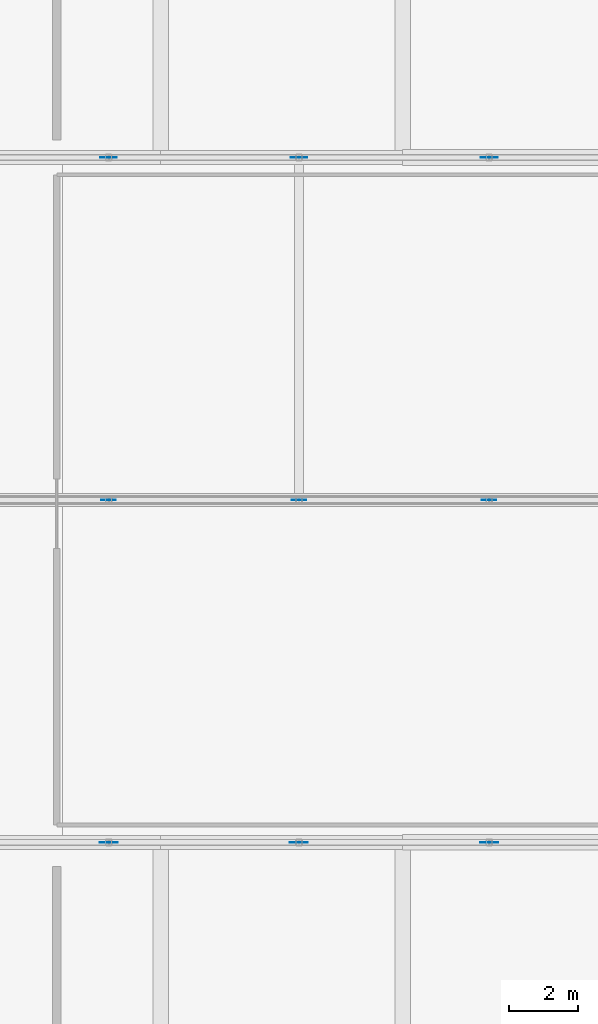
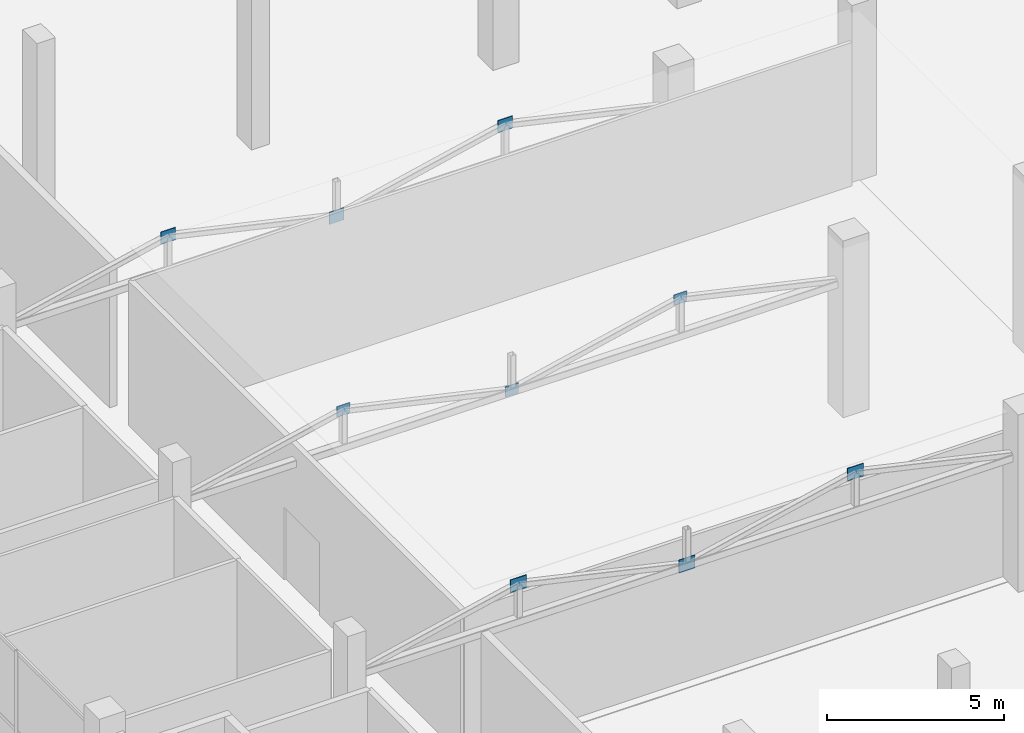
# One storey, part 25 of 46: 9 plates.
"""IFC4 building model written with IfcOpenShell, lengths in metres."""

import ifcopenshell
import ifcopenshell.guid

model = None  # the IFC model being written
_history = None  # IfcOwnerHistory: only IFC2X3 demands one
_inside = {}  # id of a spatial element -> (the spatial element, [elements in it])
_under = {}  # id of a project, library or spatial element -> (it, [spatial elements below it])
_declared = {}  # id of a project -> (the project, [libraries it declares])
_typed = {}  # id of a type object -> (the type object, [elements of that type])
_made_of = {}  # id of a material, layer set ... -> (it, [elements and type objects made of it])


def new_model(schema):
    """Start an empty IFC model of exactly this schema.

    Asked for "IFC4X3", IfcOpenShell would pick the latest addendum, in which some entities
    have other attributes; the version numbers below select the first issue.
    IFC2X3 requires an IfcOwnerHistory on every rooted entity: one is made here for all.
    """
    global model, _history
    if schema == "IFC4X3":
        model = ifcopenshell.file(schema_version=(4, 3, 0, 0))
    else:
        model = ifcopenshell.file(schema=schema)
    _inside.clear()
    _under.clear()
    _declared.clear()
    _typed.clear()
    _made_of.clear()
    _history = None
    if model.schema == "IFC2X3":
        org = make("IfcOrganization", Name="unknown")
        user = make(
            "IfcPersonAndOrganization",
            ThePerson=make("IfcPerson", FamilyName="unknown"),
            TheOrganization=org,
        )
        app = make(
            "IfcApplication",
            ApplicationDeveloper=org,
            Version="unknown",
            ApplicationFullName="unknown",
            ApplicationIdentifier="unknown",
        )
        _history = make(
            "IfcOwnerHistory",
            OwningUser=user,
            OwningApplication=app,
            ChangeAction="ADDED",
            CreationDate=0,
        )
    return model


def make(cls, **values):
    """One entity of the class cls with the attributes given. An attribute that is None is left unset."""
    return model.create_entity(
        cls, **{name: value for name, value in values.items() if value is not None}
    )


def rooted(cls, **values):
    """An entity with a GlobalId (a new one), such as an element, a storey or a relation."""
    return make(cls, GlobalId=ifcopenshell.guid.new(), OwnerHistory=_history, **values)


def si_unit(unit_type, name, prefix=None):
    """IfcSIUnit, for example si_unit("LENGTHUNIT", "METRE", prefix="MILLI")."""
    return make("IfcSIUnit", UnitType=unit_type, Prefix=prefix, Name=name)


def assignment(units):
    """IfcUnitAssignment: the units of a project."""
    return None if units is None else make("IfcUnitAssignment", Units=units)


def point(xyz):
    """IfcCartesianPoint."""
    return None if xyz is None else make("IfcCartesianPoint", Coordinates=xyz)


def direction(xyz):
    """IfcDirection."""
    return None if xyz is None else make("IfcDirection", DirectionRatios=xyz)


def frame(location, z_axis=None, x_axis=None):
    """IfcAxis2Placement3D, a coordinate frame: its origin and axes. An axis left out is left unset."""
    return make(
        "IfcAxis2Placement3D",
        Location=point(location),
        Axis=direction(z_axis),
        RefDirection=direction(x_axis),
    )


def frame_2d(location, x_axis=None):
    """IfcAxis2Placement2D, a coordinate frame in the plane: its origin and x axis."""
    return make(
        "IfcAxis2Placement2D", Location=point(location), RefDirection=direction(x_axis)
    )


def origin():
    """The frame at (0, 0, 0) with its axes left unset."""
    return frame((0.0, 0.0, 0.0))


def origin_2d():
    """The frame at (0, 0) in the plane with its x axis left unset."""
    return frame_2d((0.0, 0.0))


def place(relative_to, where):
    """IfcLocalPlacement: puts the frame where relative to a parent placement (None: the world)."""
    return make(
        "IfcLocalPlacement", PlacementRelTo=relative_to, RelativePlacement=where
    )


def context(
    kind, dimensions, precision=None, world=None, true_north=None, identifier=None
):
    """IfcGeometricRepresentationContext, for example the 3D "Model" context."""
    return make(
        "IfcGeometricRepresentationContext",
        ContextIdentifier=identifier,
        ContextType=kind,
        CoordinateSpaceDimension=dimensions,
        Precision=precision,
        WorldCoordinateSystem=world,
        TrueNorth=true_north,
    )


def subcontext(parent, identifier, kind, view, scale=None):
    """IfcGeometricRepresentationSubContext, for example "Body" below "Model"."""
    return make(
        "IfcGeometricRepresentationSubContext",
        ContextIdentifier=identifier,
        ContextType=kind,
        ParentContext=parent,
        TargetScale=scale,
        TargetView=view,
    )


def project(units=None, contexts=None):
    """IfcProject with its units and contexts."""
    return rooted(
        "IfcProject",
        Name="project",
        RepresentationContexts=contexts,
        UnitsInContext=assignment(units),
    )


def spatial(cls, under=None, at=None, **own):
    """A site, building, storey or space (cls), placed at a placement, below another one or the project."""
    s = rooted(cls, ObjectPlacement=at, **own)
    if under is not None:
        _under.setdefault(under.id(), (under, []))[1].append(s)
    return s


def profile(cls, at=None, kind="AREA", **sizes):
    """A parametric profile (cls). Its sizes go by their IFC names, for example OverallWidth=200.0."""
    return make(cls, ProfileType=kind, Position=at, **sizes)


def rectangle(**sizes):
    """IfcRectangleProfileDef."""
    return profile("IfcRectangleProfileDef", **sizes)


def extrude(swept, where, along, depth):
    """IfcExtrudedAreaSolid: the profile swept, set in the frame where, extruded along a direction by depth."""
    return make(
        "IfcExtrudedAreaSolid",
        SweptArea=swept,
        Position=where,
        ExtrudedDirection=direction(along),
        Depth=depth,
    )


def shape(context_of_items, identifier, shape_type, items):
    """IfcShapeRepresentation: the items that make up one representation, for example the "Body"."""
    return make(
        "IfcShapeRepresentation",
        ContextOfItems=context_of_items,
        RepresentationIdentifier=identifier,
        RepresentationType=shape_type,
        Items=items,
    )


def material(Name=None, Category=None):
    """IfcMaterial."""
    return make("IfcMaterial", Name=Name, Category=Category)


def layer(
    of_material, thickness, ventilated=None, Name=None, Category=None, Priority=None
):
    """IfcMaterialLayer: one layer of a wall or slab, of a material (None: an air gap)."""
    return make(
        "IfcMaterialLayer",
        Material=of_material,
        LayerThickness=thickness,
        IsVentilated=ventilated,
        Name=Name,
        Category=Category,
        Priority=Priority,
    )


def layer_set(layers, Name=None):
    """IfcMaterialLayerSet."""
    return make("IfcMaterialLayerSet", MaterialLayers=layers, LayerSetName=Name)


def made_of(thing, what):
    """Note that an element or type object is made of a material, layer set ...; save() writes the relation."""
    if what is not None:
        _made_of.setdefault(what.id(), (what, []))[1].append(thing)
    return thing


def type_object(cls, material=None, **own):
    """A type object (cls), such as IfcWallType, which elements share."""
    return made_of(rooted(cls, **own), material)


def element(
    cls,
    number,
    at=None,
    inside=None,
    cuts=None,
    type_object=None,
    material=None,
    context=None,
    identifier="Body",
    shape_type=None,
    held_by="IfcProductDefinitionShape",
    body=None,
    shapes=None,
    **own,
):
    """One element of the class cls, such as IfcWall. Its Tag is "e" and its number.

    at: its placement. inside: the storey or other place that contains it. cuts: it is an
    opening in that element (IfcRelVoidsElement). A single representation is given by context,
    identifier, shape_type and body (its items); several are given by shapes. held_by: the class
    of the entity that holds the representations. save() writes the other relations.
    """
    e = rooted(cls, Tag="e%d" % number, ObjectPlacement=at, **own)
    if body is not None:
        shapes = [shape(context, identifier, shape_type, body)]
    if shapes is not None:
        e.Representation = make(held_by, Representations=shapes)
    if inside is not None:
        _inside.setdefault(inside.id(), (inside, []))[1].append(e)
    if cuts is not None:
        rooted(
            "IfcRelVoidsElement", RelatingBuildingElement=cuts, RelatedOpeningElement=e
        )
    if type_object is not None:
        _typed.setdefault(type_object.id(), (type_object, []))[1].append(e)
    return made_of(e, material)


def aggregate(whole, parts):
    """IfcRelAggregates: a whole, such as a stair, and the parts it consists of."""
    return rooted("IfcRelAggregates", RelatingObject=whole, RelatedObjects=parts)


def save(model, path):
    """Write the relations noted so far, then the file.

    IfcRelAggregates (storeys below a building ...), IfcRelContainedInSpatialStructure (elements
    in a storey), IfcRelDefinesByType, IfcRelAssociatesMaterial and IfcRelDeclares: one each for
    every whole, place, type object, material and project.
    """
    for whole, parts in _under.values():
        aggregate(whole, parts)
    for where, things in _inside.values():
        rooted(
            "IfcRelContainedInSpatialStructure",
            RelatedElements=things,
            RelatingStructure=where,
        )
    for kind, things in _typed.values():
        rooted("IfcRelDefinesByType", RelatedObjects=things, RelatingType=kind)
    for what, things in _made_of.values():
        rooted("IfcRelAssociatesMaterial", RelatedObjects=things, RelatingMaterial=what)
    for by, libraries in _declared.values():
        rooted("IfcRelDeclares", RelatingContext=by, RelatedDefinitions=libraries)
    model.write(path)


model = new_model("IFC4")

# Units and contexts
model_context = context("Model", 3, precision=1e-05, world=origin(), true_north=direction((0.0, 1.0)))
body_context = subcontext(model_context, "Body", "Model", "MODEL_VIEW")
ifc_project = project(units=[si_unit("LENGTHUNIT", "METRE"), si_unit("AREAUNIT", "SQUARE_METRE"), si_unit("VOLUMEUNIT", "CUBIC_METRE"), si_unit("PLANEANGLEUNIT", "RADIAN"), si_unit("MASSUNIT", "GRAM", prefix="KILO")], contexts=[model_context])

# Site, building, storey
site_placement = place(None, origin())
site = spatial("IfcSite", under=ifc_project, at=site_placement, CompositionType="ELEMENT")
building_placement = place(site_placement, origin())
building = spatial("IfcBuilding", under=site, at=building_placement, Name="Sillaruma Civic Art Gallery", CompositionType="ELEMENT")
storey_placement = place(building_placement, frame((0.0, 0.0, 16.320068359375)))
storey = spatial("IfcBuildingStorey", under=building, at=storey_placement, Name="L03", CompositionType="ELEMENT", Elevation=16.320068359375)

# Plates
ifc_material = material(Name="Structural Steel ASTM A992 Gr.50", Category="steel")
ifc_layer_1 = layer(ifc_material, 0.01806640625, Name="Structural Steel ASTM A992 Gr.50")
ifc_layer_set_1 = layer_set([ifc_layer_1], Name="Structural Steel ASTM A992 Gr.50")
plate_type_1 = type_object("IfcPlateType", Name="PLT-GUS-18", PredefinedType="SHEET", material=ifc_layer_set_1)
for number, where, z_axis, x_axis, name in (
    (1, (75.5, 59.39990234375, 5.49365234375), (0.0, 0.0, 1.0), (1.0, 0.0, 0.0), "Truss Gusset Plate GP-03 (TR-L03-2-1)"),
    (2, (81.0, 59.39990234375, 4.2548828125), (0.0, 0.0, 1.0), (1.0, 0.0, 0.0), "Truss Gusset Plate GP-03 (TR-L03-2-2)"),
    (3, (86.5, 59.39990234375, 5.49365234375), (0.0, 0.0, 1.0), (1.0, 0.0, 0.0), "Truss Gusset Plate GP-03 (TR-L03-2-3)"),
):
    element("IfcPlate", number, at=place(storey_placement, frame(where, z_axis=z_axis, x_axis=x_axis)), inside=storey, type_object=plate_type_1, Name=name, PredefinedType="SHEET", context=body_context, shape_type="SweptSolid", body=[
        extrude(rectangle(XDim=0.419921875, YDim=0.01806640625, at=origin_2d()), origin(), (0.0, 0.0, 1.0), 0.360107421875),
    ])
ifc_layer_2 = layer(ifc_material, 0.02197265625, Name="Structural Steel ASTM A992 Gr.50")
ifc_layer_set_2 = layer_set([ifc_layer_2], Name="Structural Steel ASTM A992 Gr.50")
plate_type_2 = type_object("IfcPlateType", Name="PLT-GUS-22", PredefinedType="SHEET", material=ifc_layer_set_2)
for number, where, z_axis, x_axis, name in (
    (4, (75.5, 69.300048828125, 5.4638671875), (0.0, 0.0, 1.0), (1.0, 0.0, 0.0), "Truss Gusset Plate GP-04 (TR-L03-3-1)"),
    (5, (81.0, 69.300048828125, 4.224853515625), (0.0, 0.0, 1.0), (1.0, 0.0, 0.0), "Truss Gusset Plate GP-04 (TR-L03-3-2)"),
    (6, (86.5, 69.300048828125, 5.4638671875), (0.0, 0.0, 1.0), (1.0, 0.0, 0.0), "Truss Gusset Plate GP-04 (TR-L03-3-3)"),
):
    element("IfcPlate", number, at=place(storey_placement, frame(where, z_axis=z_axis, x_axis=x_axis)), inside=storey, type_object=plate_type_2, Name=name, PredefinedType="SHEET", context=body_context, shape_type="SweptSolid", body=[
        extrude(rectangle(XDim=0.47998046875, YDim=0.02197265625, at=origin_2d()), origin(), (0.0, 0.0, 1.0), 0.419921875),
    ])
ifc_layer_3 = layer(ifc_material, 0.02392578125, Name="Structural Steel ASTM A992 Gr.50")
ifc_layer_set_3 = layer_set([ifc_layer_3], Name="Structural Steel ASTM A992 Gr.50")
plate_type_3 = type_object("IfcPlateType", Name="PLT-GUS-24", PredefinedType="SHEET", material=ifc_layer_set_3)
for number, where, z_axis, x_axis, name in (
    (7, (75.5, 49.5, 5.453857421875), (0.0, 0.0, 1.0), (1.0, 0.0, 0.0), "Truss Gusset Plate GP-02 (TR-L03-1-1)"),
    (8, (81.0, 49.5, 4.21484375), (0.0, 0.0, 1.0), (1.0, 0.0, 0.0), "Truss Gusset Plate GP-02 (TR-L03-1-2)"),
    (9, (86.5, 49.5, 5.453857421875), (0.0, 0.0, 1.0), (1.0, 0.0, 0.0), "Truss Gusset Plate GP-02 (TR-L03-1-3)"),
):
    element("IfcPlate", number, at=place(storey_placement, frame(where, z_axis=z_axis, x_axis=x_axis)), inside=storey, type_object=plate_type_3, Name=name, PredefinedType="SHEET", context=body_context, shape_type="SweptSolid", body=[
        extrude(rectangle(XDim=0.52001953125, YDim=0.02392578125, at=origin_2d()), origin(), (0.0, 0.0, 1.0), 0.43994140625),
    ])

save(model, "model.ifc")
